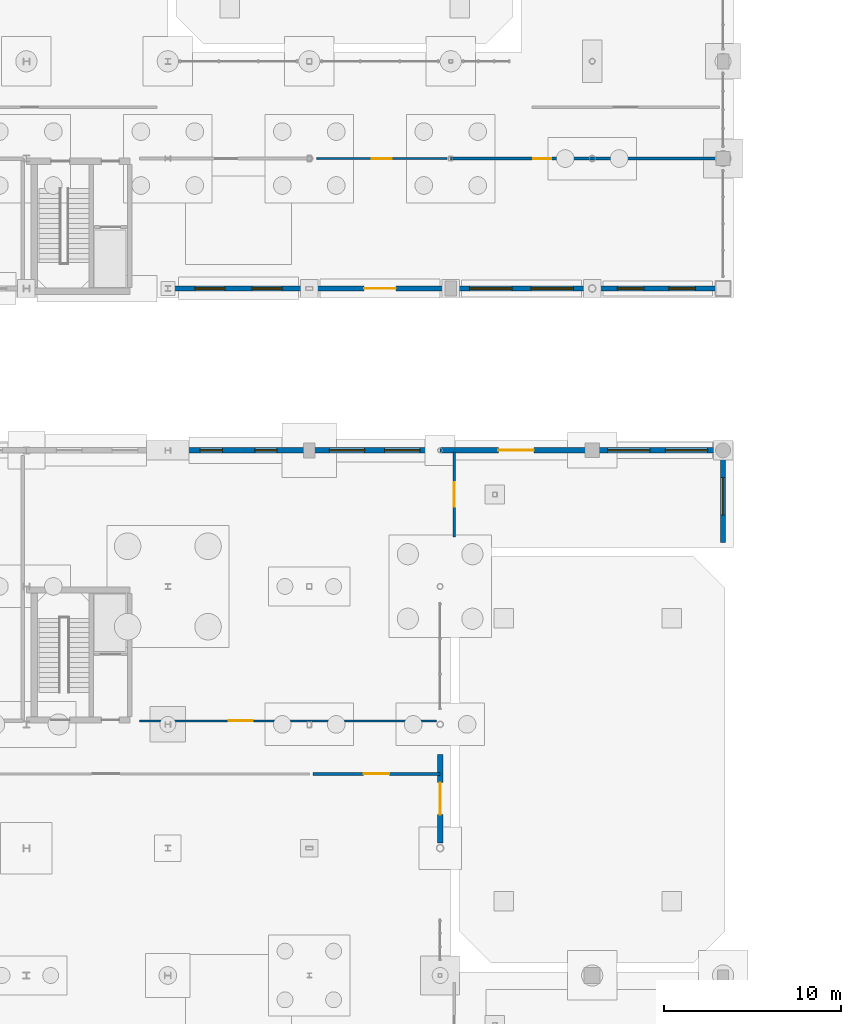
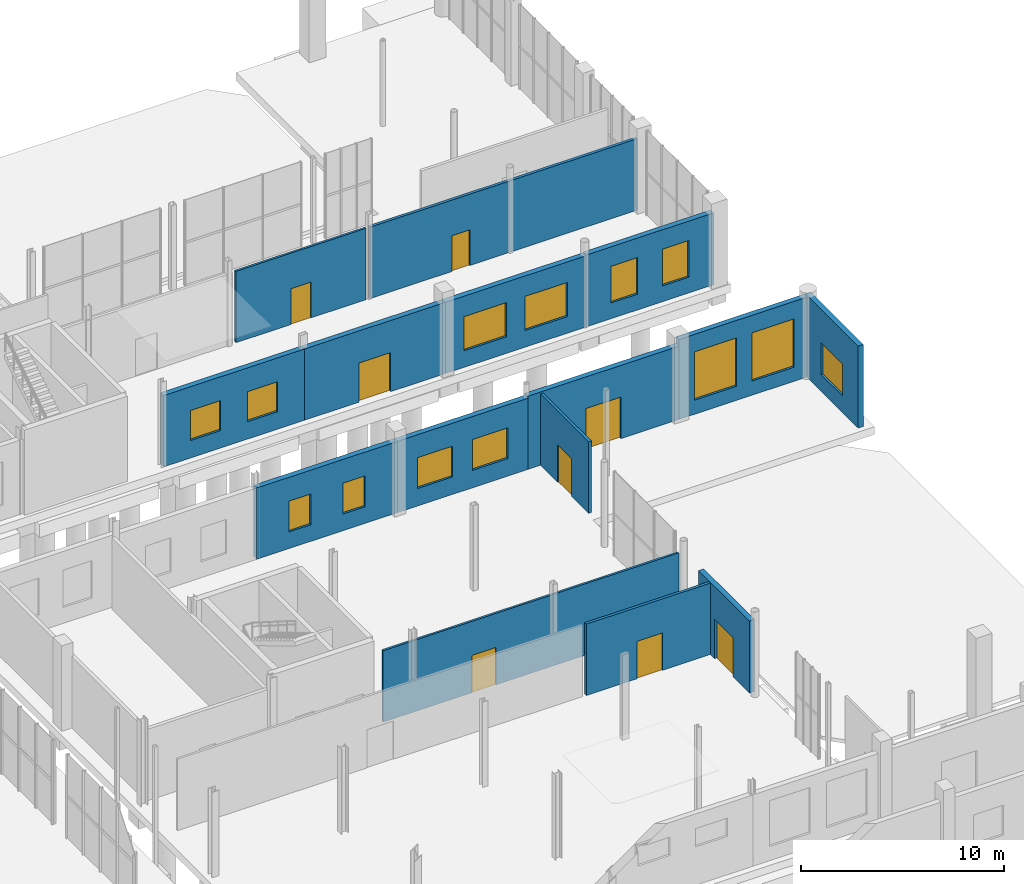
# One storey, part 73 of 87: 15 walls, 13 windows, 8 doors, 21 openings.
"""IFC4 building model written with IfcOpenShell, lengths in metres."""

from ifc_helpers import new_model, si_unit, direction, frame, frame_2d, origin, place, context, subcontext, project, spatial, rectangle, extrude, material, layer, layer_set, type_object, element, fill, save


model = new_model("IFC4")

# Units and contexts
model_context = context("Model", 3, precision=1e-05, world=origin(), true_north=direction((0.0, 1.0)))
body_context = subcontext(model_context, "Body", "Model", "MODEL_VIEW")
ifc_project = project(units=[si_unit("LENGTHUNIT", "METRE"), si_unit("AREAUNIT", "SQUARE_METRE"), si_unit("VOLUMEUNIT", "CUBIC_METRE"), si_unit("PLANEANGLEUNIT", "RADIAN"), si_unit("MASSUNIT", "GRAM", prefix="KILO")], contexts=[model_context])

# Site, building, storey
site_placement = place(None, origin())
site = spatial("IfcSite", under=ifc_project, at=site_placement, CompositionType="ELEMENT")
building_placement = place(site_placement, origin())
building = spatial("IfcBuilding", under=site, at=building_placement, Name="Brisemont Oceanarium", CompositionType="ELEMENT")
storey_placement = place(building_placement, origin())
storey = spatial("IfcBuildingStorey", under=building, at=storey_placement, Name="L00", CompositionType="ELEMENT", Elevation=0.0)

# Wall, openings, windows
ifc_material_1 = material(Name="Sierra Granite Ashlar Backup Concrete C35/45", Category="masonry")
ifc_layer_1 = layer(ifc_material_1, 0.300048828125)
ifc_layer_set_1 = layer_set([ifc_layer_1], Name="Sierra Granite Ashlar Backup Concrete C35/45")
wall_type_1 = type_object("IfcWallType", Name="EW-GRANITE-300", PredefinedType="STANDARD", material=ifc_layer_set_1)
wall_1_placement = place(storey_placement, frame((128.0, 71.5, 0.0), z_axis=(0.0, 0.0, 1.0), x_axis=(1.0, 0.0, 0.0)))
wall_1 = element("IfcWall", 1, at=wall_1_placement, inside=storey, type_object=wall_type_1, Name="Beaux-Arts exterior wall EW-V5EN-L00-3", PredefinedType="STANDARD", context=body_context, shape_type="SweptSolid", body=[
    extrude(rectangle(XDim=8.0, YDim=0.300048828125, at=frame_2d((4.0, 0.0))), origin(), (0.0, 0.0, 1.0), 4.280029296875),
])
opening_1_placement = place(wall_1_placement, frame((1.833251953125, 0.0, 1.0)))
opening_1 = element("IfcOpeningElement", 2, at=opening_1_placement, cuts=wall_1, Name="Opening WIN-24", PredefinedType="OPENING", context=body_context, shape_type="SweptSolid", body=[
    extrude(rectangle(XDim=1.25, YDim=1.85009765625, at=frame_2d((0.625, 0.925048828125))), frame((0.0, 0.159912109375, 0.0), z_axis=(0.0, -1.0, 0.0), x_axis=(1.0, 0.0, 0.0)), (0.0, 0.0, 1.0), 0.320068359375),
])
opening_2_placement = place(wall_1_placement, frame((4.916748046875, 0.0, 1.0)))
opening_2 = element("IfcOpeningElement", 3, at=opening_2_placement, cuts=wall_1, Name="Opening WIN-24", PredefinedType="OPENING", context=body_context, shape_type="SweptSolid", body=[
    extrude(rectangle(XDim=1.25, YDim=1.85009765625, at=frame_2d((0.625, 0.925048828125))), frame((0.0, 0.159912109375, 0.0), z_axis=(0.0, -1.0, 0.0), x_axis=(1.0, 0.0, 0.0)), (0.0, 0.0, 1.0), 0.320068359375),
])
ifc_material_2 = material(Name="Insulated Low-E Laminated Glass", Category="glass")
window_type_1 = type_object("IfcWindowType", Name="WIN-BA-1250X1850", PartitioningType="SINGLE_PANEL", PredefinedType="WINDOW", material=ifc_material_2)
window_1_placement = place(opening_1_placement, origin())
window_1 = element("IfcWindow", 4, at=window_1_placement, inside=storey, type_object=window_type_1, Name="WIN-24 facade window 51", OverallHeight=1.85009765625, OverallWidth=1.25, PartitioningType="SINGLE_PANEL", PredefinedType="WINDOW", context=body_context, shape_type="SweptSolid", body=[
    extrude(rectangle(XDim=1.25, YDim=1.85009765625, at=frame_2d((0.625, 0.925048828125))), frame((0.0, 0.030029296875, 0.0), z_axis=(0.0, -1.0, 0.0), x_axis=(1.0, 0.0, 0.0)), (0.0, 0.0, 1.0), 0.06005859375),
])
fill(opening_1, window_1)
window_2_placement = place(opening_2_placement, origin())
window_2 = element("IfcWindow", 5, at=window_2_placement, inside=storey, type_object=window_type_1, Name="WIN-24 facade window 52", OverallHeight=1.85009765625, OverallWidth=1.25, PartitioningType="SINGLE_PANEL", PredefinedType="WINDOW", context=body_context, shape_type="SweptSolid", body=[
    extrude(rectangle(XDim=1.25, YDim=1.85009765625, at=frame_2d((0.625, 0.925048828125))), frame((0.0, 0.030029296875, 0.0), z_axis=(0.0, -1.0, 0.0), x_axis=(1.0, 0.0, 0.0)), (0.0, 0.0, 1.0), 0.06005859375),
])
fill(opening_2, window_2)

wall_2_placement = place(storey_placement, frame((136.0, 71.5, 0.0), z_axis=(0.0, 0.0, 1.0), x_axis=(1.0, 0.0, 0.0)))
wall_2 = element("IfcWall", 6, at=wall_2_placement, inside=storey, type_object=wall_type_1, Name="Beaux-Arts exterior wall EW-V5EN-L00-4", PredefinedType="STANDARD", context=body_context, shape_type="SweptSolid", body=[
    extrude(rectangle(XDim=7.39990234375, YDim=0.300048828125, at=frame_2d((3.699951171875, 0.0))), origin(), (0.0, 0.0, 1.0), 4.280029296875),
])
opening_3_placement = place(wall_2_placement, frame((1.13330078125, 0.0, 1.050048828125)))
opening_3 = element("IfcOpeningElement", 7, at=opening_3_placement, cuts=wall_2, Name="Opening WIN-26", PredefinedType="OPENING", context=body_context, shape_type="SweptSolid", body=[
    extrude(rectangle(XDim=2.0, YDim=1.85009765625, at=frame_2d((1.0, 0.925048828125))), frame((0.0, 0.159912109375, 0.0), z_axis=(0.0, -1.0, 0.0), x_axis=(1.0, 0.0, 0.0)), (0.0, 0.0, 1.0), 0.320068359375),
])
opening_4_placement = place(wall_2_placement, frame((4.2666015625, 0.0, 1.050048828125)))
opening_4 = element("IfcOpeningElement", 8, at=opening_4_placement, cuts=wall_2, Name="Opening WIN-26", PredefinedType="OPENING", context=body_context, shape_type="SweptSolid", body=[
    extrude(rectangle(XDim=2.0, YDim=1.85009765625, at=frame_2d((1.0, 0.925048828125))), frame((0.0, 0.159912109375, 0.0), z_axis=(0.0, -1.0, 0.0), x_axis=(1.0, 0.0, 0.0)), (0.0, 0.0, 1.0), 0.320068359375),
])
ifc_material_3 = material(Name="Insulated Low-E Laminated Glass", Category="glass")
window_type_2 = type_object("IfcWindowType", Name="WIN-LAB-2000X1850", PartitioningType="SINGLE_PANEL", PredefinedType="WINDOW", material=ifc_material_3)
window_3_placement = place(opening_3_placement, origin())
window_3 = element("IfcWindow", 9, at=window_3_placement, inside=storey, type_object=window_type_2, Name="WIN-26 facade window 53", OverallHeight=1.85009765625, OverallWidth=2.0, PartitioningType="SINGLE_PANEL", PredefinedType="WINDOW", context=body_context, shape_type="SweptSolid", body=[
    extrude(rectangle(XDim=2.0, YDim=1.85009765625, at=frame_2d((1.0, 0.925048828125))), frame((0.0, 0.030029296875, 0.0), z_axis=(0.0, -1.0, 0.0), x_axis=(1.0, 0.0, 0.0)), (0.0, 0.0, 1.0), 0.06005859375),
])
fill(opening_3, window_3)
window_4_placement = place(opening_4_placement, origin())
window_4 = element("IfcWindow", 10, at=window_4_placement, inside=storey, type_object=window_type_2, Name="WIN-26 facade window 54", OverallHeight=1.85009765625, OverallWidth=2.0, PartitioningType="SINGLE_PANEL", PredefinedType="WINDOW", context=body_context, shape_type="SweptSolid", body=[
    extrude(rectangle(XDim=2.0, YDim=1.85009765625, at=frame_2d((1.0, 0.925048828125))), frame((0.0, 0.030029296875, 0.0), z_axis=(0.0, -1.0, 0.0), x_axis=(1.0, 0.0, 0.0)), (0.0, 0.0, 1.0), 0.06005859375),
])
fill(opening_4, window_4)

# Wall, opening, door
wall_3_placement = place(storey_placement, frame((143.39990234375, 71.5, 0.0), z_axis=(0.0, 0.0, 1.0), x_axis=(1.0, 0.0, 0.0)))
wall_3 = element("IfcWall", 11, at=wall_3_placement, inside=storey, type_object=wall_type_1, Name="Beaux-Arts exterior wall EW-V5EN-L00-5", PredefinedType="STANDARD", context=body_context, shape_type="SweptSolid", body=[
    extrude(rectangle(XDim=8.60009765625, YDim=0.300048828125, at=frame_2d((4.300048828125, 0.0))), origin(), (0.0, 0.0, 1.0), 4.402099609375),
])
opening_5_placement = place(wall_3_placement, frame((3.300048828125, 0.0, 0.0)))
opening_5 = element("IfcOpeningElement", 12, at=opening_5_placement, cuts=wall_3, Name="Opening EX-02", PredefinedType="OPENING", context=body_context, shape_type="SweptSolid", body=[
    extrude(rectangle(XDim=2.0, YDim=2.5, at=frame_2d((1.0, 1.25))), frame((0.0, 0.159912109375, 0.0), z_axis=(0.0, -1.0, 0.0), x_axis=(1.0, 0.0, 0.0)), (0.0, 0.0, 1.0), 0.320068359375),
])
ifc_material_4 = material(Name="Patinated Architectural Bronze C38500")
door_type_1 = type_object("IfcDoorType", Name="DR-EXT-2000X2500", OperationType="NOTDEFINED", PredefinedType="DOOR", material=ifc_material_4)
door_1_placement = place(opening_5_placement, origin())
door_1 = element("IfcDoor", 13, at=door_1_placement, inside=storey, type_object=door_type_1, Name="EX-02 exterior entrance door 7", OperationType="DOUBLE_DOOR_SINGLE_SWING", OverallHeight=2.5, OverallWidth=2.0, PredefinedType="DOOR", context=body_context, shape_type="SweptSolid", body=[
    extrude(rectangle(XDim=2.0, YDim=2.5, at=frame_2d((1.0, 1.25))), frame((0.0, 0.02490234375, 0.0), z_axis=(0.0, -1.0, 0.0), x_axis=(1.0, 0.0, 0.0)), (0.0, 0.0, 1.0), 0.050048828125),
])
fill(opening_5, door_1)

# Wall, openings, windows
wall_4_placement = place(storey_placement, frame((152.0, 71.5, 0.0), z_axis=(0.0, 0.0, 1.0), x_axis=(1.0, 0.0, 0.0)))
wall_4 = element("IfcWall", 14, at=wall_4_placement, inside=storey, type_object=wall_type_1, Name="Beaux-Arts exterior wall EW-V5EN-L00-6", PredefinedType="STANDARD", context=body_context, shape_type="SweptSolid", body=[
    extrude(rectangle(XDim=7.39990234375, YDim=0.300048828125, at=frame_2d((3.699951171875, 0.0))), origin(), (0.0, 0.0, 1.0), 4.800048828125),
])
opening_6_placement = place(wall_4_placement, frame((0.86669921875, 0.0, 0.85009765625)))
opening_6 = element("IfcOpeningElement", 15, at=opening_6_placement, cuts=wall_4, Name="Opening WIN-01", PredefinedType="OPENING", context=body_context, shape_type="SweptSolid", body=[
    extrude(rectangle(XDim=2.39990234375, YDim=2.89990234375, at=frame_2d((1.199951171875, 1.449951171875))), frame((0.0, 0.159912109375, 0.0), z_axis=(0.0, -1.0, 0.0), x_axis=(1.0, 0.0, 0.0)), (0.0, 0.0, 1.0), 0.320068359375),
])
opening_7_placement = place(wall_4_placement, frame((4.13330078125, 0.0, 0.85009765625)))
opening_7 = element("IfcOpeningElement", 16, at=opening_7_placement, cuts=wall_4, Name="Opening WIN-01", PredefinedType="OPENING", context=body_context, shape_type="SweptSolid", body=[
    extrude(rectangle(XDim=2.39990234375, YDim=2.89990234375, at=frame_2d((1.199951171875, 1.449951171875))), frame((0.0, 0.159912109375, 0.0), z_axis=(0.0, -1.0, 0.0), x_axis=(1.0, 0.0, 0.0)), (0.0, 0.0, 1.0), 0.320068359375),
])
ifc_material_5 = material(Name="Insulated Low-E Laminated Glass", Category="glass")
window_type_3 = type_object("IfcWindowType", Name="WIN-BA-2400X2900", PartitioningType="SINGLE_PANEL", PredefinedType="WINDOW", material=ifc_material_5)
window_5_placement = place(opening_6_placement, origin())
window_5 = element("IfcWindow", 17, at=window_5_placement, inside=storey, type_object=window_type_3, Name="WIN-01 facade window 55", OverallHeight=2.89990234375, OverallWidth=2.39990234375, PartitioningType="SINGLE_PANEL", PredefinedType="WINDOW", context=body_context, shape_type="SweptSolid", body=[
    extrude(rectangle(XDim=2.39990234375, YDim=2.89990234375, at=frame_2d((1.199951171875, 1.449951171875))), frame((0.0, 0.030029296875, 0.0), z_axis=(0.0, -1.0, 0.0), x_axis=(1.0, 0.0, 0.0)), (0.0, 0.0, 1.0), 0.06005859375),
])
fill(opening_6, window_5)
window_6_placement = place(opening_7_placement, origin())
window_6 = element("IfcWindow", 18, at=window_6_placement, inside=storey, type_object=window_type_3, Name="WIN-01 facade window 56", OverallHeight=2.89990234375, OverallWidth=2.39990234375, PartitioningType="SINGLE_PANEL", PredefinedType="WINDOW", context=body_context, shape_type="SweptSolid", body=[
    extrude(rectangle(XDim=2.39990234375, YDim=2.89990234375, at=frame_2d((1.199951171875, 1.449951171875))), frame((0.0, 0.030029296875, 0.0), z_axis=(0.0, -1.0, 0.0), x_axis=(1.0, 0.0, 0.0)), (0.0, 0.0, 1.0), 0.06005859375),
])
fill(opening_7, window_6)

wall_5_placement = place(storey_placement, frame((128.0, 80.64990234375, 0.0), z_axis=(0.0, 0.0, 1.0), x_axis=(1.0, 0.0, 0.0)))
wall_5 = element("IfcWall", 19, at=wall_5_placement, inside=storey, type_object=wall_type_1, Name="Beaux-Arts exterior wall EW-V6S-L00-3", PredefinedType="STANDARD", context=body_context, shape_type="SweptSolid", body=[
    extrude(rectangle(XDim=8.0, YDim=0.300048828125, at=frame_2d((4.0, 0.0))), origin(), (0.0, 0.0, 1.0), 4.280029296875),
])
opening_8_placement = place(wall_5_placement, frame((1.533203125, 0.0, 1.050048828125)))
opening_8 = element("IfcOpeningElement", 20, at=opening_8_placement, cuts=wall_5, Name="Opening WIN-11", PredefinedType="OPENING", context=body_context, shape_type="SweptSolid", body=[
    extrude(rectangle(XDim=1.699951171875, YDim=1.800048828125, at=frame_2d((0.85009765625, 0.89990234375))), frame((0.0, 0.159912109375, 0.0), z_axis=(0.0, -1.0, 0.0), x_axis=(1.0, 0.0, 0.0)), (0.0, 0.0, 1.0), 0.320068359375),
])
opening_9_placement = place(wall_5_placement, frame((4.7666015625, 0.0, 1.050048828125)))
opening_9 = element("IfcOpeningElement", 21, at=opening_9_placement, cuts=wall_5, Name="Opening WIN-11", PredefinedType="OPENING", context=body_context, shape_type="SweptSolid", body=[
    extrude(rectangle(XDim=1.699951171875, YDim=1.800048828125, at=frame_2d((0.85009765625, 0.89990234375))), frame((0.0, 0.159912109375, 0.0), z_axis=(0.0, -1.0, 0.0), x_axis=(1.0, 0.0, 0.0)), (0.0, 0.0, 1.0), 0.320068359375),
])
ifc_material_6 = material(Name="Insulated Low-E Laminated Glass", Category="glass")
window_type_4 = type_object("IfcWindowType", Name="WIN-LAB-1700X1800", PartitioningType="SINGLE_PANEL", PredefinedType="WINDOW", material=ifc_material_6)
window_7_placement = place(opening_8_placement, origin())
window_7 = element("IfcWindow", 22, at=window_7_placement, inside=storey, type_object=window_type_4, Name="WIN-11 facade window 65", OverallHeight=1.800048828125, OverallWidth=1.699951171875, PartitioningType="SINGLE_PANEL", PredefinedType="WINDOW", context=body_context, shape_type="SweptSolid", body=[
    extrude(rectangle(XDim=1.699951171875, YDim=1.800048828125, at=frame_2d((0.85009765625, 0.89990234375))), frame((0.0, 0.030029296875, 0.0), z_axis=(0.0, -1.0, 0.0), x_axis=(1.0, 0.0, 0.0)), (0.0, 0.0, 1.0), 0.06005859375),
])
fill(opening_8, window_7)
window_8_placement = place(opening_9_placement, origin())
window_8 = element("IfcWindow", 23, at=window_8_placement, inside=storey, type_object=window_type_4, Name="WIN-11 facade window 66", OverallHeight=1.800048828125, OverallWidth=1.699951171875, PartitioningType="SINGLE_PANEL", PredefinedType="WINDOW", context=body_context, shape_type="SweptSolid", body=[
    extrude(rectangle(XDim=1.699951171875, YDim=1.800048828125, at=frame_2d((0.85009765625, 0.89990234375))), frame((0.0, 0.030029296875, 0.0), z_axis=(0.0, -1.0, 0.0), x_axis=(1.0, 0.0, 0.0)), (0.0, 0.0, 1.0), 0.06005859375),
])
fill(opening_9, window_8)

# Wall, opening, door
wall_6_placement = place(storey_placement, frame((144.0, 80.64990234375, 0.0), z_axis=(0.0, 0.0, 1.0), x_axis=(-1.0, 0.0, 0.0)))
wall_6 = element("IfcWall", 24, at=wall_6_placement, inside=storey, type_object=wall_type_1, Name="Beaux-Arts exterior wall EW-V6S-L00-4", PredefinedType="STANDARD", context=body_context, shape_type="SweptSolid", body=[
    extrude(rectangle(XDim=8.0, YDim=0.300048828125, at=frame_2d((4.0, 0.0))), origin(), (0.0, 0.0, 1.0), 4.280029296875),
])
opening_10_placement = place(wall_6_placement, frame((3.10009765625, 0.0, 0.0)))
opening_10 = element("IfcOpeningElement", 25, at=opening_10_placement, cuts=wall_6, Name="Opening EX-03", PredefinedType="OPENING", context=body_context, shape_type="SweptSolid", body=[
    extrude(rectangle(XDim=1.800048828125, YDim=2.35009765625, at=frame_2d((0.89990234375, 1.175048828125))), frame((0.0, 0.159912109375, 0.0), z_axis=(0.0, -1.0, 0.0), x_axis=(1.0, 0.0, 0.0)), (0.0, 0.0, 1.0), 0.320068359375),
])
ifc_material_7 = material(Name="Patinated Architectural Bronze C38500")
door_type_2 = type_object("IfcDoorType", Name="DR-EXT-1800X2350", OperationType="NOTDEFINED", PredefinedType="DOOR", material=ifc_material_7)
door_2_placement = place(opening_10_placement, origin())
door_2 = element("IfcDoor", 26, at=door_2_placement, inside=storey, type_object=door_type_2, Name="EX-03 exterior entrance door 9", OperationType="SINGLE_SWING_LEFT", OverallHeight=2.35009765625, OverallWidth=1.800048828125, PredefinedType="DOOR", context=body_context, shape_type="SweptSolid", body=[
    extrude(rectangle(XDim=1.800048828125, YDim=2.35009765625, at=frame_2d((0.89990234375, 1.175048828125))), frame((0.0, 0.02490234375, 0.0), z_axis=(0.0, -1.0, 0.0), x_axis=(1.0, 0.0, 0.0)), (0.0, 0.0, 1.0), 0.050048828125),
])
fill(opening_10, door_2)

# Wall, openings, windows
wall_7_placement = place(storey_placement, frame((144.0, 80.64990234375, 0.0), z_axis=(0.0, 0.0, 1.0), x_axis=(1.0, 0.0, 0.0)))
wall_7 = element("IfcWall", 27, at=wall_7_placement, inside=storey, type_object=wall_type_1, Name="Beaux-Arts exterior wall EW-V6S-L00-5", PredefinedType="STANDARD", context=body_context, shape_type="SweptSolid", body=[
    extrude(rectangle(XDim=8.0, YDim=0.300048828125, at=frame_2d((4.0, 0.0))), origin(), (0.0, 0.0, 1.0), 4.280029296875),
])
opening_11_placement = place(wall_7_placement, frame((1.066650390625, 0.0, 1.0)))
opening_11 = element("IfcOpeningElement", 28, at=opening_11_placement, cuts=wall_7, Name="Opening WIN-25", PredefinedType="OPENING", context=body_context, shape_type="SweptSolid", body=[
    extrude(rectangle(XDim=2.39990234375, YDim=2.050048828125, at=frame_2d((1.199951171875, 1.02490234375))), frame((0.0, 0.159912109375, 0.0), z_axis=(0.0, -1.0, 0.0), x_axis=(1.0, 0.0, 0.0)), (0.0, 0.0, 1.0), 0.320068359375),
])
opening_12_placement = place(wall_7_placement, frame((4.533203125, 0.0, 1.0)))
opening_12 = element("IfcOpeningElement", 29, at=opening_12_placement, cuts=wall_7, Name="Opening WIN-25", PredefinedType="OPENING", context=body_context, shape_type="SweptSolid", body=[
    extrude(rectangle(XDim=2.39990234375, YDim=2.050048828125, at=frame_2d((1.199951171875, 1.02490234375))), frame((0.0, 0.159912109375, 0.0), z_axis=(0.0, -1.0, 0.0), x_axis=(1.0, 0.0, 0.0)), (0.0, 0.0, 1.0), 0.320068359375),
])
ifc_material_8 = material(Name="Insulated Low-E Laminated Glass", Category="glass")
window_type_5 = type_object("IfcWindowType", Name="WIN-LAB-2400X2050", PartitioningType="SINGLE_PANEL", PredefinedType="WINDOW", material=ifc_material_8)
window_9_placement = place(opening_11_placement, origin())
window_9 = element("IfcWindow", 30, at=window_9_placement, inside=storey, type_object=window_type_5, Name="WIN-25 facade window 79", OverallHeight=2.050048828125, OverallWidth=2.39990234375, PartitioningType="SINGLE_PANEL", PredefinedType="WINDOW", context=body_context, shape_type="SweptSolid", body=[
    extrude(rectangle(XDim=2.39990234375, YDim=2.050048828125, at=frame_2d((1.199951171875, 1.02490234375))), frame((0.0, 0.030029296875, 0.0), z_axis=(0.0, -1.0, 0.0), x_axis=(1.0, 0.0, 0.0)), (0.0, 0.0, 1.0), 0.06005859375),
])
fill(opening_11, window_9)
window_10_placement = place(opening_12_placement, origin())
window_10 = element("IfcWindow", 31, at=window_10_placement, inside=storey, type_object=window_type_5, Name="WIN-25 facade window 80", OverallHeight=2.050048828125, OverallWidth=2.39990234375, PartitioningType="SINGLE_PANEL", PredefinedType="WINDOW", context=body_context, shape_type="SweptSolid", body=[
    extrude(rectangle(XDim=2.39990234375, YDim=2.050048828125, at=frame_2d((1.199951171875, 1.02490234375))), frame((0.0, 0.030029296875, 0.0), z_axis=(0.0, -1.0, 0.0), x_axis=(1.0, 0.0, 0.0)), (0.0, 0.0, 1.0), 0.06005859375),
])
fill(opening_12, window_10)

wall_8_placement = place(storey_placement, frame((152.0, 80.64990234375, 0.0), z_axis=(0.0, 0.0, 1.0), x_axis=(1.0, 0.0, 0.0)))
wall_8 = element("IfcWall", 32, at=wall_8_placement, inside=storey, type_object=wall_type_1, Name="Beaux-Arts exterior wall EW-V6S-L00-6", PredefinedType="STANDARD", context=body_context, shape_type="SweptSolid", body=[
    extrude(rectangle(XDim=7.25, YDim=0.300048828125, at=frame_2d((3.625, 0.0))), origin(), (0.0, 0.0, 1.0), 4.318115234375),
])
opening_13_placement = place(wall_8_placement, frame((1.416748046875, 0.0, 0.949951171875)))
opening_13 = element("IfcOpeningElement", 33, at=opening_13_placement, cuts=wall_8, Name="Opening WIN-06", PredefinedType="OPENING", context=body_context, shape_type="SweptSolid", body=[
    extrude(rectangle(XDim=1.5, YDim=2.199951171875, at=frame_2d((0.75, 1.10009765625))), frame((0.0, 0.159912109375, 0.0), z_axis=(0.0, -1.0, 0.0), x_axis=(1.0, 0.0, 0.0)), (0.0, 0.0, 1.0), 0.320068359375),
])
opening_14_placement = place(wall_8_placement, frame((4.333251953125, 0.0, 0.949951171875)))
opening_14 = element("IfcOpeningElement", 34, at=opening_14_placement, cuts=wall_8, Name="Opening WIN-06", PredefinedType="OPENING", context=body_context, shape_type="SweptSolid", body=[
    extrude(rectangle(XDim=1.5, YDim=2.199951171875, at=frame_2d((0.75, 1.10009765625))), frame((0.0, 0.159912109375, 0.0), z_axis=(0.0, -1.0, 0.0), x_axis=(1.0, 0.0, 0.0)), (0.0, 0.0, 1.0), 0.320068359375),
])
ifc_material_9 = material(Name="Insulated Low-E Laminated Glass", Category="glass")
window_type_6 = type_object("IfcWindowType", Name="WIN-BA-1500X2200", PartitioningType="SINGLE_PANEL", PredefinedType="WINDOW", material=ifc_material_9)
window_11_placement = place(opening_13_placement, origin())
window_11 = element("IfcWindow", 35, at=window_11_placement, inside=storey, type_object=window_type_6, Name="WIN-06 facade window 87", OverallHeight=2.199951171875, OverallWidth=1.5, PartitioningType="SINGLE_PANEL", PredefinedType="WINDOW", context=body_context, shape_type="SweptSolid", body=[
    extrude(rectangle(XDim=1.5, YDim=2.199951171875, at=frame_2d((0.75, 1.10009765625))), frame((0.0, 0.030029296875, 0.0), z_axis=(0.0, -1.0, 0.0), x_axis=(1.0, 0.0, 0.0)), (0.0, 0.0, 1.0), 0.06005859375),
])
fill(opening_13, window_11)
window_12_placement = place(opening_14_placement, origin())
window_12 = element("IfcWindow", 36, at=window_12_placement, inside=storey, type_object=window_type_6, Name="WIN-06 facade window 88", OverallHeight=2.199951171875, OverallWidth=1.5, PartitioningType="SINGLE_PANEL", PredefinedType="WINDOW", context=body_context, shape_type="SweptSolid", body=[
    extrude(rectangle(XDim=1.5, YDim=2.199951171875, at=frame_2d((0.75, 1.10009765625))), frame((0.0, 0.030029296875, 0.0), z_axis=(0.0, -1.0, 0.0), x_axis=(1.0, 0.0, 0.0)), (0.0, 0.0, 1.0), 0.06005859375),
])
fill(opening_14, window_12)

# Wall, opening, door
wall_9_placement = place(storey_placement, frame((143.39990234375, 54.300048828125, 0.0), z_axis=(0.0, 0.0, 1.0), x_axis=(0.0, -1.0, 0.0)))
wall_9 = element("IfcWall", 37, at=wall_9_placement, inside=storey, type_object=wall_type_1, Name="Beaux-Arts exterior wall EW-C6-EXIT", PredefinedType="STANDARD", context=body_context, shape_type="SweptSolid", body=[
    extrude(rectangle(XDim=5.0, YDim=0.300048828125, at=frame_2d((2.5, 0.0))), origin(), (0.0, 0.0, 1.0), 4.326904296875),
])
opening_15_placement = place(wall_9_placement, frame((1.60009765625, 0.0, 0.0)))
opening_15 = element("IfcOpeningElement", 38, at=opening_15_placement, cuts=wall_9, Name="Opening EX-03", PredefinedType="OPENING", context=body_context, shape_type="SweptSolid", body=[
    extrude(rectangle(XDim=1.800048828125, YDim=2.35009765625, at=frame_2d((0.89990234375, 1.175048828125))), frame((0.0, 0.159912109375, 0.0), z_axis=(0.0, -1.0, 0.0), x_axis=(1.0, 0.0, 0.0)), (0.0, 0.0, 1.0), 0.320068359375),
])
door_3_placement = place(opening_15_placement, origin())
door_3 = element("IfcDoor", 39, at=door_3_placement, inside=storey, type_object=door_type_2, Name="EX-03 exterior entrance door 26", OperationType="SINGLE_SWING_LEFT", OverallHeight=2.35009765625, OverallWidth=1.800048828125, PredefinedType="DOOR", context=body_context, shape_type="SweptSolid", body=[
    extrude(rectangle(XDim=1.800048828125, YDim=2.35009765625, at=frame_2d((0.89990234375, 1.175048828125))), frame((0.0, 0.02490234375, 0.0), z_axis=(0.0, -1.0, 0.0), x_axis=(1.0, 0.0, 0.0)), (0.0, 0.0, 1.0), 0.050048828125),
])
fill(opening_15, door_3)

# Wall, opening, window
wall_10_placement = place(storey_placement, frame((159.39990234375, 66.300048828125, 0.0), z_axis=(0.0, 0.0, 1.0), x_axis=(0.0, 1.0, 0.0)))
wall_10 = element("IfcWall", 40, at=wall_10_placement, inside=storey, type_object=wall_type_1, Name="Beaux-Arts exterior wall EW-V5E-EN-L00", PredefinedType="STANDARD", context=body_context, shape_type="SweptSolid", body=[
    extrude(rectangle(XDim=5.199951171875, YDim=0.300048828125, at=frame_2d((2.60009765625, 0.0))), origin(), (0.0, 0.0, 1.0), 4.919921875),
])
opening_16_placement = place(wall_10_placement, frame((1.550048828125, 0.0, 1.0)))
opening_16 = element("IfcOpeningElement", 41, at=opening_16_placement, cuts=wall_10, Name="Opening WIN-10", PredefinedType="OPENING", context=body_context, shape_type="SweptSolid", body=[
    extrude(rectangle(XDim=2.10009765625, YDim=1.89990234375, at=frame_2d((1.050048828125, 0.949951171875))), frame((0.0, 0.159912109375, 0.0), z_axis=(0.0, -1.0, 0.0), x_axis=(1.0, 0.0, 0.0)), (0.0, 0.0, 1.0), 0.320068359375),
])
ifc_material_10 = material(Name="Insulated Low-E Laminated Glass", Category="glass")
window_type_7 = type_object("IfcWindowType", Name="WIN-LAB-2100X1900", PartitioningType="SINGLE_PANEL", PredefinedType="WINDOW", material=ifc_material_10)
window_13_placement = place(opening_16_placement, origin())
window_13 = element("IfcWindow", 42, at=window_13_placement, inside=storey, type_object=window_type_7, Name="WIN-10 facade window 118", OverallHeight=1.89990234375, OverallWidth=2.10009765625, PartitioningType="SINGLE_PANEL", PredefinedType="WINDOW", context=body_context, shape_type="SweptSolid", body=[
    extrude(rectangle(XDim=2.10009765625, YDim=1.89990234375, at=frame_2d((1.050048828125, 0.949951171875))), frame((0.0, 0.030029296875, 0.0), z_axis=(0.0, -1.0, 0.0), x_axis=(1.0, 0.0, 0.0)), (0.0, 0.0, 1.0), 0.06005859375),
])
fill(opening_16, window_13)

# Wall, opening, door
ifc_material_11 = material(Name="Moisture-Resistant Gypsum Steel-Stud Partition", Category="steel")
ifc_layer_2 = layer(ifc_material_11, 0.159912109375)
ifc_layer_set_2 = layer_set([ifc_layer_2], Name="Moisture-Resistant Gypsum Steel-Stud Partition")
wall_type_2 = type_object("IfcWallType", Name="IW-FB-160", PredefinedType="PARTITIONING", material=ifc_layer_set_2)
wall_11_placement = place(storey_placement, frame((136.199951171875, 53.199951171875, 0.0), z_axis=(0.0, 0.0, 1.0), x_axis=(1.0, 0.0, 0.0)))
wall_11 = element("IfcWall", 43, at=wall_11_placement, inside=storey, type_object=wall_type_2, Name="C6 Protected Exit Passageway corridor partition", PredefinedType="PARTITIONING", context=body_context, shape_type="SweptSolid", body=[
    extrude(rectangle(XDim=7.199951171875, YDim=0.159912109375, at=frame_2d((3.60009765625, 0.0))), origin(), (0.0, 0.0, 1.0), 4.2900390625),
])
opening_17_placement = place(wall_11_placement, frame((2.875, 0.0, 0.0)))
opening_17 = element("IfcOpeningElement", 44, at=opening_17_placement, cuts=wall_11, Name="Opening FD90-1", PredefinedType="OPENING", context=body_context, shape_type="SweptSolid", body=[
    extrude(rectangle(XDim=1.449951171875, YDim=2.25, at=frame_2d((0.72509765625, 1.125))), frame((0.0, 0.08984375, 0.0), z_axis=(0.0, -1.0, 0.0), x_axis=(1.0, 0.0, 0.0)), (0.0, 0.0, 1.0), 0.179931640625),
])
ifc_material_12 = material(Name="FSC White Oak Solid-Core Fire Door")
door_type_3 = type_object("IfcDoorType", Name="DR-LOB-1450X2250", OperationType="NOTDEFINED", PredefinedType="DOOR", material=ifc_material_12)
door_4_placement = place(opening_17_placement, origin())
door_4 = element("IfcDoor", 45, at=door_4_placement, inside=storey, type_object=door_type_3, Name="FD90-1 door to C6 Protected Exit Passageway", OperationType="SINGLE_SWING_LEFT", OverallHeight=2.25, OverallWidth=1.449951171875, PredefinedType="DOOR", context=body_context, shape_type="SweptSolid", body=[
    extrude(rectangle(XDim=1.449951171875, YDim=2.25, at=frame_2d((0.72509765625, 1.125))), frame((0.0, 0.02490234375, 0.0), z_axis=(0.0, -1.0, 0.0), x_axis=(1.0, 0.0, 0.0)), (0.0, 0.0, 1.0), 0.050048828125),
])
fill(opening_17, door_4)

wall_12_placement = place(storey_placement, frame((144.199951171875, 66.60009765625, 0.0), z_axis=(0.0, 0.0, 1.0), x_axis=(0.0, 1.0, 0.0)))
wall_12 = element("IfcWall", 46, at=wall_12_placement, inside=storey, type_object=wall_type_2, Name="Civic Marine Community Assembly Room corridor partition", PredefinedType="PARTITIONING", context=body_context, shape_type="SweptSolid", body=[
    extrude(rectangle(XDim=4.7998046875, YDim=0.159912109375, at=frame_2d((2.39990234375, 0.0))), origin(), (0.0, 0.0, 1.0), 4.2900390625),
])
opening_18_placement = place(wall_12_placement, frame((1.7099609375, 0.0, 0.0)))
opening_18 = element("IfcOpeningElement", 47, at=opening_18_placement, cuts=wall_12, Name="Opening PD-01", PredefinedType="OPENING", context=body_context, shape_type="SweptSolid", body=[
    extrude(rectangle(XDim=1.3798828125, YDim=2.25, at=frame_2d((0.68994140625, 1.125))), frame((0.0, 0.08984375, 0.0), z_axis=(0.0, -1.0, 0.0), x_axis=(1.0, 0.0, 0.0)), (0.0, 0.0, 1.0), 0.179931640625),
])
ifc_material_13 = material(Name="Duplex Stainless Steel EN 1.4462", Category="steel")
door_type_4 = type_object("IfcDoorType", Name="DR-PLT-1380X2250", OperationType="NOTDEFINED", PredefinedType="DOOR", material=ifc_material_13)
door_5_placement = place(opening_18_placement, origin())
door_5 = element("IfcDoor", 48, at=door_5_placement, inside=storey, type_object=door_type_4, Name="PD-01 door to Civic Marine Community Assembly Room", OperationType="SINGLE_SWING_LEFT", OverallHeight=2.25, OverallWidth=1.3798828125, PredefinedType="DOOR", context=body_context, shape_type="SweptSolid", body=[
    extrude(rectangle(XDim=1.3798828125, YDim=2.25, at=frame_2d((0.68994140625, 1.125))), frame((0.0, 0.02490234375, 0.0), z_axis=(0.0, -1.0, 0.0), x_axis=(1.0, 0.0, 0.0)), (0.0, 0.0, 1.0), 0.050048828125),
])
fill(opening_18, door_5)

wall_13_placement = place(storey_placement, frame((144.0, 88.0, 0.0), z_axis=(0.0, 0.0, 1.0), x_axis=(1.0, 0.0, 0.0)))
wall_13 = element("IfcWall", 49, at=wall_13_placement, inside=storey, type_object=wall_type_2, Name="Veterinary Marine Mammal Treatment Hospital corridor partition", PredefinedType="PARTITIONING", context=body_context, shape_type="SweptSolid", body=[
    extrude(rectangle(XDim=15.199951171875, YDim=0.159912109375, at=frame_2d((7.60009765625, 0.0))), origin(), (0.0, 0.0, 1.0), 4.2900390625),
])
opening_19_placement = place(wall_13_placement, frame((4.65283203125, 0.0, 0.0)))
opening_19 = element("IfcOpeningElement", 50, at=opening_19_placement, cuts=wall_13, Name="Opening D-01", PredefinedType="OPENING", context=body_context, shape_type="SweptSolid", body=[
    extrude(rectangle(XDim=1.02001953125, YDim=2.14990234375, at=frame_2d((0.510009765625, 1.074951171875))), frame((0.0, 0.08984375, 0.0), z_axis=(0.0, -1.0, 0.0), x_axis=(1.0, 0.0, 0.0)), (0.0, 0.0, 1.0), 0.179931640625),
])
ifc_material_14 = material(Name="FSC White Oak Solid-Core Fire Door")
door_type_5 = type_object("IfcDoorType", Name="DR-RM-1020X2150", OperationType="NOTDEFINED", PredefinedType="DOOR", material=ifc_material_14)
door_6_placement = place(opening_19_placement, origin())
door_6 = element("IfcDoor", 51, at=door_6_placement, inside=storey, type_object=door_type_5, Name="D-01 door to Veterinary Marine Mammal Treatment Hospital", OperationType="SINGLE_SWING_LEFT", OverallHeight=2.14990234375, OverallWidth=1.02001953125, PredefinedType="DOOR", context=body_context, shape_type="SweptSolid", body=[
    extrude(rectangle(XDim=1.02001953125, YDim=2.14990234375, at=frame_2d((0.510009765625, 1.074951171875))), frame((0.0, 0.02490234375, 0.0), z_axis=(0.0, -1.0, 0.0), x_axis=(1.0, 0.0, 0.0)), (0.0, 0.0, 1.0), 0.050048828125),
])
fill(opening_19, door_6)

ifc_material_15 = material(Name="Moisture-Resistant Gypsum Steel-Stud Partition", Category="steel")
ifc_layer_3 = layer(ifc_material_15, 0.1201171875)
ifc_layer_set_3 = layer_set([ifc_layer_3], Name="Moisture-Resistant Gypsum Steel-Stud Partition")
wall_type_3 = type_object("IfcWallType", Name="IW-PART-120", PredefinedType="PARTITIONING", material=ifc_layer_set_3)
wall_14_placement = place(storey_placement, frame((126.39990234375, 56.199951171875, 0.0), z_axis=(0.0, 0.0, 1.0), x_axis=(1.0, 0.0, 0.0)))
wall_14 = element("IfcWall", 52, at=wall_14_placement, inside=storey, type_object=wall_type_3, Name="Tropical Atoll Lagoon Exhibit Gallery corridor partition", PredefinedType="PARTITIONING", context=body_context, shape_type="SweptSolid", body=[
    extrude(rectangle(XDim=16.800048828125, YDim=0.1201171875, at=frame_2d((8.39990234375, 0.0))), origin(), (0.0, 0.0, 1.0), 4.2900390625),
])
opening_20_placement = place(wall_14_placement, frame((5.05908203125, 0.0, 0.0)))
opening_20 = element("IfcOpeningElement", 53, at=opening_20_placement, cuts=wall_14, Name="Opening LB-01", PredefinedType="OPENING", context=body_context, shape_type="SweptSolid", body=[
    extrude(rectangle(XDim=1.35009765625, YDim=2.25, at=frame_2d((0.675048828125, 1.125))), frame((0.0, 0.070068359375, 0.0), z_axis=(0.0, -1.0, 0.0), x_axis=(1.0, 0.0, 0.0)), (0.0, 0.0, 1.0), 0.14013671875),
])
ifc_material_16 = material(Name="Duplex Stainless Steel EN 1.4462", Category="steel")
door_type_6 = type_object("IfcDoorType", Name="DR-LAB-1350X2250", OperationType="NOTDEFINED", PredefinedType="DOOR", material=ifc_material_16)
door_7_placement = place(opening_20_placement, origin())
door_7 = element("IfcDoor", 54, at=door_7_placement, inside=storey, type_object=door_type_6, Name="LB-01 door to Tropical Atoll Lagoon Exhibit Gallery", OperationType="SINGLE_SWING_RIGHT", OverallHeight=2.25, OverallWidth=1.35009765625, PredefinedType="DOOR", context=body_context, shape_type="SweptSolid", body=[
    extrude(rectangle(XDim=1.35009765625, YDim=2.25, at=frame_2d((0.675048828125, 1.125))), frame((0.0, 0.02490234375, 0.0), z_axis=(0.0, -1.0, 0.0), x_axis=(1.0, 0.0, 0.0)), (0.0, 0.0, 1.0), 0.050048828125),
])
fill(opening_20, door_7)

wall_15_placement = place(storey_placement, frame((136.39990234375, 88.0, 0.0), z_axis=(0.0, 0.0, 1.0), x_axis=(1.0, 0.0, 0.0)))
wall_15 = element("IfcWall", 55, at=wall_15_placement, inside=storey, type_object=wall_type_3, Name="C7 Protected Exit Passageway corridor partition", PredefinedType="PARTITIONING", context=body_context, shape_type="SweptSolid", body=[
    extrude(rectangle(XDim=7.400146484375, YDim=0.1201171875, at=frame_2d((3.7001953125, 0.0))), origin(), (0.0, 0.0, 1.0), 4.2900390625),
])
opening_21_placement = place(wall_15_placement, frame((3.139892578125, 0.0, 0.0)))
opening_21 = element("IfcOpeningElement", 56, at=opening_21_placement, cuts=wall_15, Name="Opening LB-03", PredefinedType="OPENING", context=body_context, shape_type="SweptSolid", body=[
    extrude(rectangle(XDim=1.1201171875, YDim=2.14990234375, at=frame_2d((0.56005859375, 1.074951171875))), frame((0.0, 0.070068359375, 0.0), z_axis=(0.0, -1.0, 0.0), x_axis=(1.0, 0.0, 0.0)), (0.0, 0.0, 1.0), 0.14013671875),
])
ifc_material_17 = material(Name="Duplex Stainless Steel EN 1.4462", Category="steel")
door_type_7 = type_object("IfcDoorType", Name="DR-LAB-1120X2150", OperationType="NOTDEFINED", PredefinedType="DOOR", material=ifc_material_17)
door_8_placement = place(opening_21_placement, origin())
door_8 = element("IfcDoor", 57, at=door_8_placement, inside=storey, type_object=door_type_7, Name="LB-03 door to C7 Protected Exit Passageway", OperationType="SINGLE_SWING_RIGHT", OverallHeight=2.14990234375, OverallWidth=1.1201171875, PredefinedType="DOOR", context=body_context, shape_type="SweptSolid", body=[
    extrude(rectangle(XDim=1.1201171875, YDim=2.14990234375, at=frame_2d((0.56005859375, 1.074951171875))), frame((0.0, 0.02490234375, 0.0), z_axis=(0.0, -1.0, 0.0), x_axis=(1.0, 0.0, 0.0)), (0.0, 0.0, 1.0), 0.050048828125),
])
fill(opening_21, door_8)

save(model, "model.ifc")
